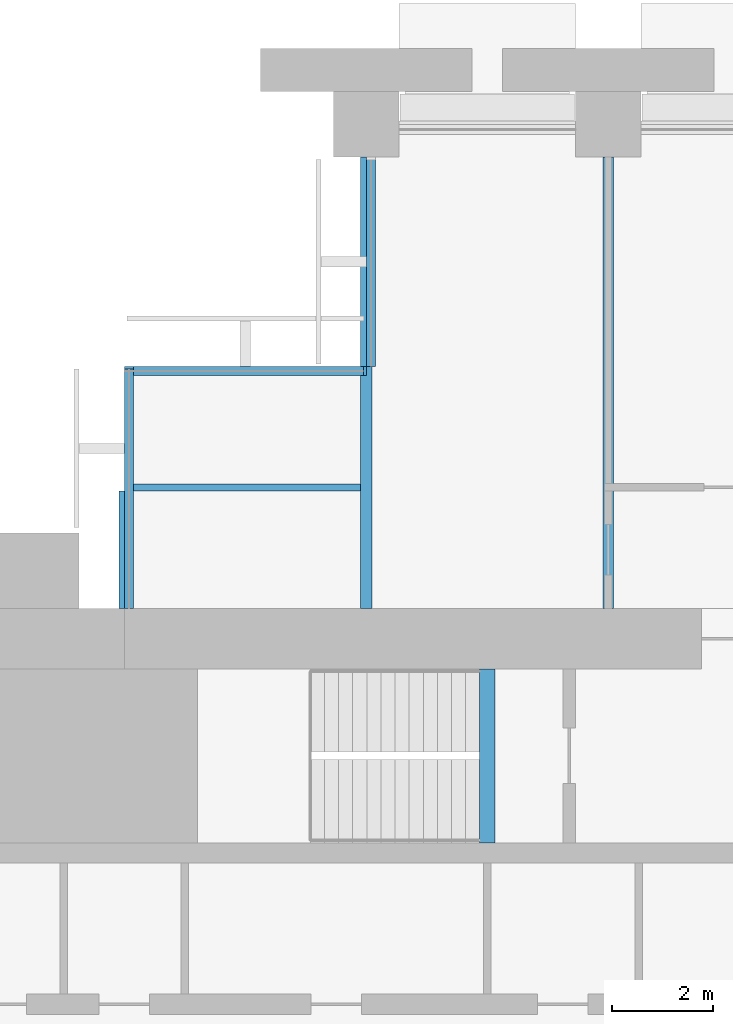
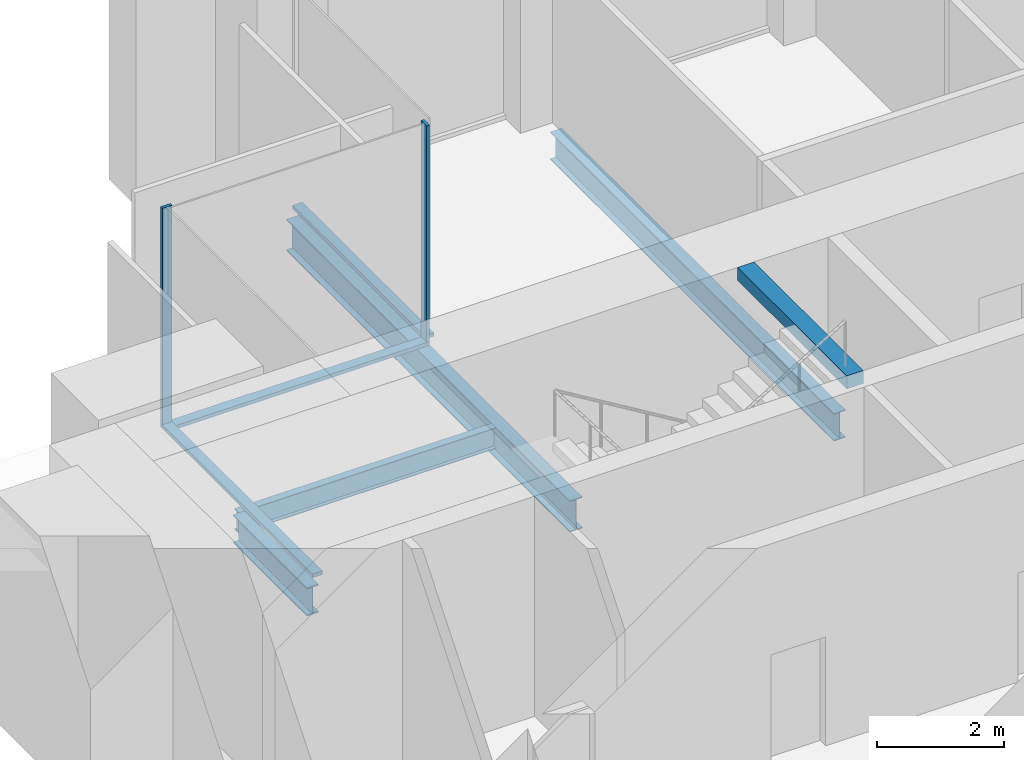
# One storey, part 5 of 15: 5 beams, 5 members, 3 elements without a shape of their own.
"""IFC4 building model written with IfcOpenShell, lengths in metres."""

from ifc_helpers import new_model, si_unit, direction, frame, origin, origin_2d, place, context, subcontext, project, spatial, rectangle, i_section, extrude, material, material_profile, profile_set, type_object, element, aggregate, save


model = new_model("IFC4")

# Units and contexts
model_context = context("Model", 3, precision=1e-05, world=origin(), true_north=direction((0.0, 1.0)))
body_context = subcontext(model_context, "Body", "Model", "MODEL_VIEW")
ifc_project = project(units=[si_unit("LENGTHUNIT", "METRE"), si_unit("AREAUNIT", "SQUARE_METRE"), si_unit("VOLUMEUNIT", "CUBIC_METRE"), si_unit("PLANEANGLEUNIT", "RADIAN"), si_unit("MASSUNIT", "GRAM", prefix="KILO")], contexts=[model_context])

# Site, building, storey
site_placement = place(None, origin())
site = spatial("IfcSite", under=ifc_project, at=site_placement, CompositionType="ELEMENT")
building_placement = place(site_placement, origin())
building = spatial("IfcBuilding", under=site, at=building_placement, Name="Baori Bourse Tower", CompositionType="ELEMENT")
storey_placement = place(building_placement, frame((0.0, 0.0, 34.60009765625)))
storey = spatial("IfcBuildingStorey", under=building, at=storey_placement, Name="L06", CompositionType="ELEMENT", Elevation=34.60009765625)

# Curtain wall, member
ifc_material_1 = material(Name="Pale anodised aluminium", Category="aluminium")
curtain_wall_type = type_object("IfcCurtainWallType", Name="CW2 Curtain wall", PredefinedType="NOTDEFINED", material=ifc_material_1)
curtain_wall_1_placement = place(storey_placement, origin())
curtain_wall_1 = element("IfcCurtainWall", 1, at=curtain_wall_1_placement, inside=storey, type_object=curtain_wall_type, Name="Curtain wall CW2 L06 8", PredefinedType="NOTDEFINED")
ifc_material_2 = material(Name="Pale anodised aluminium", Category="aluminium")
ifc_material_profile_1 = material_profile(ifc_material_2, rectangle(XDim=0.179931640625, YDim=0.054931640625, at=origin_2d()), Name="Mullion 55x180")
ifc_profile_set_1 = profile_set([ifc_material_profile_1], Name="Pale anodised aluminium")
member_type_1 = type_object("IfcMemberType", Name="CW2 Curtain wall mullion", PredefinedType="MULLION", material=ifc_profile_set_1)
member_1_placement = place(storey_placement, frame((9.572509765625, 43.110107421875, 0.06982421875), z_axis=(0.0, 0.0, 1.0), x_axis=(0.0, -1.0, 0.0)))
member_1 = element("IfcMember", 2, at=member_1_placement, type_object=member_type_1, Name="Curtain wall CW2 mullion", PredefinedType="MULLION", context=body_context, shape_type="SweptSolid", body=[
    extrude(rectangle(XDim=0.179931640625, YDim=0.054931640625, at=origin_2d()), origin(), (0.0, 0.0, 1.0), 4.170166015625),
])

curtain_wall_2_placement = place(storey_placement, origin())
curtain_wall_2 = element("IfcCurtainWall", 3, at=curtain_wall_2_placement, inside=storey, type_object=curtain_wall_type, Name="Curtain wall CW2 L06 9", PredefinedType="NOTDEFINED")
member_2_placement = place(storey_placement, frame((4.889892578125, 43.172607421875, 0.06982421875), z_axis=(0.0, 0.0, 1.0), x_axis=(1.0, 0.0, 0.0)))
member_2 = element("IfcMember", 4, at=member_2_placement, type_object=member_type_1, Name="Curtain wall CW2 mullion", PredefinedType="MULLION", context=body_context, shape_type="SweptSolid", body=[
    extrude(rectangle(XDim=0.179931640625, YDim=0.054931640625, at=origin_2d()), origin(), (0.0, 0.0, 1.0), 4.170166015625),
])

curtain_wall_3_placement = place(storey_placement, origin())
curtain_wall_3 = element("IfcCurtainWall", 5, at=curtain_wall_3_placement, inside=storey, type_object=curtain_wall_type, Name="Curtain wall CW2 L06 7", PredefinedType="NOTDEFINED")
ifc_material_3 = material(Name="Pale anodised aluminium", Category="aluminium")
ifc_material_profile_2 = material_profile(ifc_material_3, rectangle(XDim=0.179931640625, YDim=0.070068359375, at=origin_2d()), Name="Transom 70x180")
ifc_profile_set_2 = profile_set([ifc_material_profile_2], Name="Pale anodised aluminium")
member_type_2 = type_object("IfcMemberType", Name="CW2 Curtain wall transom", PredefinedType="USERDEFINED", material=ifc_profile_set_2)
member_3_placement = place(storey_placement, frame((9.68994140625, 47.35009765625, 0.034912109375), z_axis=(0.0, -1.0, 0.0), x_axis=(1.0, 0.0, 0.0)))
member_3 = element("IfcMember", 6, at=member_3_placement, type_object=member_type_2, Name="Curtain wall CW2 sill rail", ObjectType="TRANSOM", PredefinedType="USERDEFINED", context=body_context, shape_type="SweptSolid", body=[
    extrude(rectangle(XDim=0.179931640625, YDim=0.070068359375, at=origin_2d()), origin(), (0.0, 0.0, 1.0), 4.150146484375),
])
aggregate(curtain_wall_3, [member_3])

# Member
member_4_placement = place(storey_placement, frame((9.60009765625, 43.110107421875, 0.034912109375), z_axis=(-1.0, 0.0, 0.0), x_axis=(0.0, -1.0, 0.0)))
member_4 = element("IfcMember", 7, at=member_4_placement, type_object=member_type_2, Name="Curtain wall CW2 sill rail", ObjectType="TRANSOM", PredefinedType="USERDEFINED", context=body_context, shape_type="SweptSolid", body=[
    extrude(rectangle(XDim=0.179931640625, YDim=0.070068359375, at=origin_2d()), origin(), (0.0, 0.0, 1.0), 4.800048828125),
])

aggregate(curtain_wall_1, [member_4, member_1])

member_5_placement = place(storey_placement, frame((4.889892578125, 43.199951171875, 0.034912109375), z_axis=(0.0, -1.0, 0.0), x_axis=(1.0, 0.0, 0.0)))
member_5 = element("IfcMember", 8, at=member_5_placement, type_object=member_type_2, Name="Curtain wall CW2 sill rail", ObjectType="TRANSOM", PredefinedType="USERDEFINED", context=body_context, shape_type="SweptSolid", body=[
    extrude(rectangle(XDim=0.179931640625, YDim=0.070068359375, at=origin_2d()), origin(), (0.0, 0.0, 1.0), 4.800048828125),
])

aggregate(curtain_wall_2, [member_5, member_2])

# Beams
ifc_material_4 = material(Name="Steel A992 Gr 50", Category="steel")
ifc_material_profile_3 = material_profile(ifc_material_4, i_section(OverallWidth=0.21240234375, OverallDepth=0.54345703125, WebThickness=0.01318359375, FlangeThickness=0.021240234375, at=origin_2d()), Name="W21x83")
ifc_profile_set_3 = profile_set([ifc_material_profile_3], Name="Steel A992 Gr 50")
beam_type_1 = type_object("IfcBeamType", Name="Core bracket W21x83", PredefinedType="BEAM", material=ifc_profile_set_3)
beam_1_placement = place(storey_placement, frame((4.800048828125, 38.39990234375, -0.431884765625), z_axis=(0.0, 1.0, 0.0), x_axis=(-1.0, 0.0, 0.0)))
element("IfcBeam", 9, at=beam_1_placement, inside=storey, type_object=beam_type_1, Name="Core bracket L06", PredefinedType="BEAM", context=body_context, shape_type="SweptSolid", body=[
    extrude(i_section(OverallWidth=0.21240234375, OverallDepth=0.54345703125, WebThickness=0.01318359375, FlangeThickness=0.021240234375, at=origin_2d()), origin(), (0.0, 0.0, 1.0), 2.329833984375),
])
ifc_material_5 = material(Name="Steel A992 Gr 50", Category="steel")
ifc_material_profile_4 = material_profile(ifc_material_5, i_section(OverallWidth=0.209228515625, OverallDepth=0.533447265625, WebThickness=0.01025390625, FlangeThickness=0.015625, at=origin_2d()), Name="W21x62")
ifc_profile_set_4 = profile_set([ifc_material_profile_4], Name="Steel A992 Gr 50")
beam_type_2 = type_object("IfcBeamType", Name="Floor beam W21x62", PredefinedType="BEAM", material=ifc_profile_set_4)
beam_2_placement = place(storey_placement, frame((14.39990234375, 38.39990234375, -0.4267578125), z_axis=(0.0, 1.0, 0.0), x_axis=(-1.0, 0.0, 0.0)))
element("IfcBeam", 10, at=beam_2_placement, inside=storey, type_object=beam_type_2, Name="Floor beam L06", PredefinedType="BEAM", context=body_context, shape_type="SweptSolid", body=[
    extrude(i_section(OverallWidth=0.209228515625, OverallDepth=0.533447265625, WebThickness=0.01025390625, FlangeThickness=0.015625, at=origin_2d()), origin(), (0.0, 0.0, 1.0), 8.9501953125),
])
ifc_material_6 = material(Name="Steel A992 Gr 50", Category="steel")
ifc_material_profile_5 = material_profile(ifc_material_6, i_section(OverallWidth=0.227783203125, OverallDepth=0.60205078125, WebThickness=0.010498046875, FlangeThickness=0.014892578125, at=origin_2d()), Name="W24x68")
ifc_profile_set_5 = profile_set([ifc_material_profile_5], Name="Steel A992 Gr 50")
beam_type_3 = type_object("IfcBeamType", Name="Floor beam W24x68", PredefinedType="BEAM", material=ifc_profile_set_5)
beam_3_placement = place(storey_placement, frame((9.60009765625, 38.39990234375, -0.461181640625), z_axis=(0.0, 1.0, 0.0), x_axis=(-1.0, 0.0, 0.0)))
element("IfcBeam", 11, at=beam_3_placement, inside=storey, type_object=beam_type_3, Name="Floor beam L06", PredefinedType="BEAM", context=body_context, shape_type="SweptSolid", body=[
    extrude(i_section(OverallWidth=0.227783203125, OverallDepth=0.60205078125, WebThickness=0.010498046875, FlangeThickness=0.014892578125, at=origin_2d()), origin(), (0.0, 0.0, 1.0), 8.9501953125),
])
ifc_material_7 = material(Name="Concrete f'c 50 MPa", Category="concrete")
ifc_material_profile_6 = material_profile(ifc_material_7, rectangle(XDim=0.300048828125, YDim=0.25, at=origin_2d()), Name="RC 300x250")
ifc_profile_set_6 = profile_set([ifc_material_profile_6], Name="Concrete f'c 50 MPa")
beam_type_4 = type_object("IfcBeamType", Name="Stair nib beam RC 300x250", PredefinedType="BEAM", material=ifc_profile_set_6)
beam_4_placement = place(storey_placement, frame((12.0, 33.75, 4.114990234375), z_axis=(0.0, 1.0, 0.0), x_axis=(-1.0, 0.0, 0.0)))
element("IfcBeam", 12, at=beam_4_placement, inside=storey, type_object=beam_type_4, Name="Stair WB nib beam L07", PredefinedType="BEAM", context=body_context, shape_type="SweptSolid", body=[
    extrude(rectangle(XDim=0.300048828125, YDim=0.25, at=origin_2d()), origin(), (0.0, 0.0, 1.0), 3.449951171875),
])
ifc_material_8 = material(Name="Steel A992 Gr 50", Category="steel")
ifc_material_profile_7 = material_profile(ifc_material_8, i_section(OverallWidth=0.140380859375, OverallDepth=0.40380859375, WebThickness=0.007080078125, FlangeThickness=0.01123046875, at=origin_2d()), Name="W16x31")
ifc_profile_set_7 = profile_set([ifc_material_profile_7], Name="Steel A992 Gr 50")
beam_type_5 = type_object("IfcBeamType", Name="Trimmer beam W16x31", PredefinedType="BEAM", material=ifc_profile_set_7)
beam_5_placement = place(storey_placement, frame((4.800048828125, 40.800048828125, -0.362060546875), z_axis=(1.0, 0.0, 0.0), x_axis=(0.0, 1.0, 0.0)))
element("IfcBeam", 13, at=beam_5_placement, inside=storey, type_object=beam_type_5, Name="Trimmer beam L06", PredefinedType="BEAM", context=body_context, shape_type="SweptSolid", body=[
    extrude(i_section(OverallWidth=0.140380859375, OverallDepth=0.40380859375, WebThickness=0.007080078125, FlangeThickness=0.01123046875, at=origin_2d()), origin(), (0.0, 0.0, 1.0), 4.68603515625),
])

save(model, "model.ifc")
